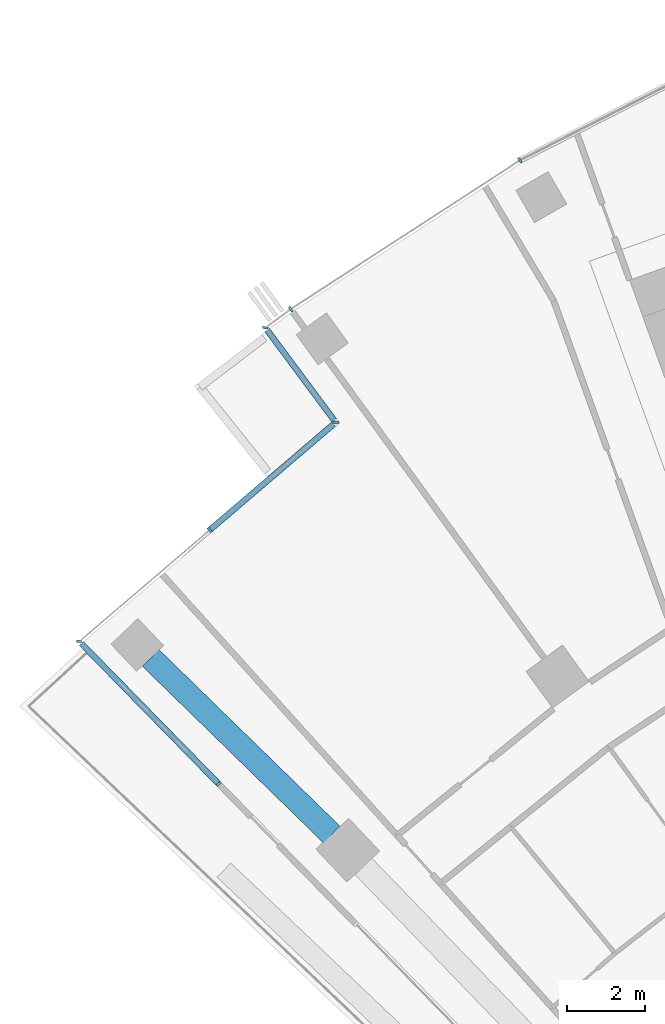
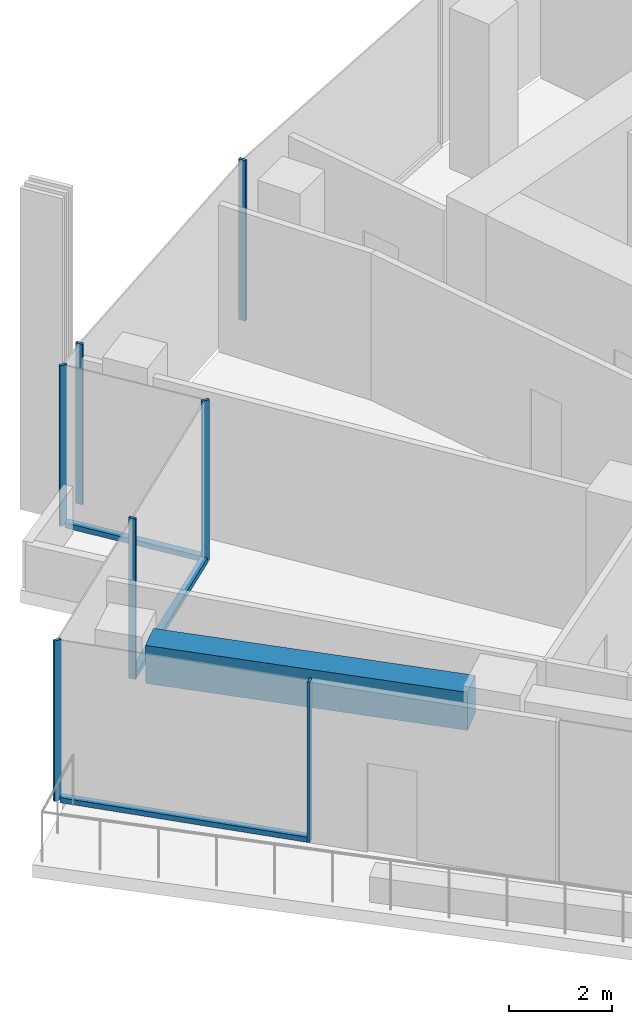
# One storey, part 3 of 20: 10 members, 1 beam, 4 elements without a shape of their own.
"""IFC4 building model written with IfcOpenShell, lengths in metres."""

from ifc_helpers import new_model, si_unit, direction, frame, origin, origin_2d, place, context, subcontext, project, spatial, rectangle, extrude, material, layer, layer_set, material_profile, profile_set, type_object, element, aggregate, save


model = new_model("IFC4")

# Units and contexts
model_context = context("Model", 3, precision=1e-05, world=origin(), true_north=direction((0.0, 1.0)))
body_context = subcontext(model_context, "Body", "Model", "MODEL_VIEW")
ifc_project = project(units=[si_unit("LENGTHUNIT", "METRE"), si_unit("AREAUNIT", "SQUARE_METRE"), si_unit("VOLUMEUNIT", "CUBIC_METRE"), si_unit("PLANEANGLEUNIT", "RADIAN"), si_unit("MASSUNIT", "GRAM", prefix="KILO")], contexts=[model_context])

# Site, building, storey
site_placement = place(None, origin())
site = spatial("IfcSite", under=ifc_project, at=site_placement, CompositionType="ELEMENT")
building_placement = place(site_placement, origin())
building = spatial("IfcBuilding", under=site, at=building_placement, Name="Stone Belt Terrace Tower", CompositionType="ELEMENT")
storey_placement = place(building_placement, frame((0.0, 0.0, 216.199951171875)))
storey = spatial("IfcBuildingStorey", under=building, at=storey_placement, Name="L52", CompositionType="ELEMENT", Elevation=216.199951171875)

# Curtain wall, members
ifc_material_1 = material(Name="Aluminium 6063-T6 anodised frame", Category="aluminium")
ifc_layer_1 = layer(ifc_material_1, 0.14990234375)
ifc_layer_set_1 = layer_set([ifc_layer_1], Name="CW-A unitised convex-face curtain wall")
curtain_wall_type_1 = type_object("IfcCurtainWallType", Name="CW-A unitised convex-face curtain wall", PredefinedType="NOTDEFINED", material=ifc_layer_set_1)
curtain_wall_1_placement = place(storey_placement, origin())
curtain_wall_1 = element("IfcCurtainWall", 1, at=curtain_wall_1_placement, inside=storey, type_object=curtain_wall_type_1, Name="CW-A convex face L52", PredefinedType="NOTDEFINED")
ifc_material_profile_1 = material_profile(ifc_material_1, rectangle(XDim=0.14990234375, YDim=0.06005859375, at=origin_2d()), Name="Aluminium 6063-T6 60x150")
ifc_profile_set_1 = profile_set([ifc_material_profile_1], Name="Aluminium 6063-T6 anodised frame")
member_type_1 = type_object("IfcMemberType", Name="CW-A mullion 60 x 150", PredefinedType="MULLION", material=ifc_profile_set_1)
member_1_placement = place(storey_placement, frame((-33.28759765625, 57.65576171875, 0.0), z_axis=(0.0, 0.0, 1.0), x_axis=(0.5, -0.866025403784, 0.0)))
member_1 = element("IfcMember", 2, at=member_1_placement, type_object=member_type_1, Name="CW-A mullion 14", PredefinedType="MULLION", context=body_context, shape_type="SweptSolid", body=[
    extrude(rectangle(XDim=0.14990234375, YDim=0.06005859375, at=origin_2d()), origin(), (0.0, 0.0, 1.0), 3.800048828125),
])
member_2_placement = place(storey_placement, frame((-39.13037109375, 53.861328125, 0.0), z_axis=(0.0, 0.0, 1.0), x_axis=(0.568647526171, -0.82258129749, 0.0)))
member_2 = element("IfcMember", 3, at=member_2_placement, type_object=member_type_1, Name="CW-A mullion 15", PredefinedType="MULLION", context=body_context, shape_type="SweptSolid", body=[
    extrude(rectangle(XDim=0.14990234375, YDim=0.06005859375, at=origin_2d()), origin(), (0.0, 0.0, 1.0), 3.800048828125),
])
aggregate(curtain_wall_1, [member_1, member_2])

# Curtain wall, member
ifc_layer_2 = layer(ifc_material_1, 0.14990234375)
ifc_layer_set_2 = layer_set([ifc_layer_2], Name="CW-C stick curtain wall, horn ends and notches")
curtain_wall_type_2 = type_object("IfcCurtainWallType", Name="CW-C stick curtain wall, horn ends and notches", PredefinedType="NOTDEFINED", material=ifc_layer_set_2)
curtain_wall_2_placement = place(storey_placement, origin())
curtain_wall_2 = element("IfcCurtainWall", 4, at=curtain_wall_2_placement, inside=storey, type_object=curtain_wall_type_2, Name="CW-C notch face L52", PredefinedType="NOTDEFINED")
ifc_material_profile_2 = material_profile(ifc_material_1, rectangle(XDim=0.14990234375, YDim=0.06005859375, at=origin_2d()), Name="Aluminium 6063-T6 60x150")
ifc_profile_set_2 = profile_set([ifc_material_profile_2], Name="Aluminium 6063-T6 anodised frame")
member_type_2 = type_object("IfcMemberType", Name="CW-C mullion 60 x 150", PredefinedType="MULLION", material=ifc_profile_set_2)
member_3_placement = place(storey_placement, frame((-39.7763671875, 53.38671875, 0.0), z_axis=(0.0, 0.0, 1.0), x_axis=(0.988932903449, -0.148363447234, 0.0)))
member_3 = element("IfcMember", 5, at=member_3_placement, type_object=member_type_2, Name="CW-C mullion 1", PredefinedType="MULLION", context=body_context, shape_type="SweptSolid", body=[
    extrude(rectangle(XDim=0.14990234375, YDim=0.06005859375, at=origin_2d()), origin(), (0.0, 0.0, 1.0), 3.800048828125),
])

# Curtain wall, members
curtain_wall_3_placement = place(storey_placement, origin())
curtain_wall_3 = element("IfcCurtainWall", 6, at=curtain_wall_3_placement, inside=storey, type_object=curtain_wall_type_2, Name="CW-C notch face L52", PredefinedType="NOTDEFINED")
member_4_placement = place(storey_placement, frame((-37.9833984375, 50.974609375, 0.0), z_axis=(0.0, 0.0, 1.0), x_axis=(0.993694649426, -0.112120219865, 0.0)))
member_4 = element("IfcMember", 7, at=member_4_placement, type_object=member_type_2, Name="CW-C mullion 1", PredefinedType="MULLION", context=body_context, shape_type="SweptSolid", body=[
    extrude(rectangle(XDim=0.14990234375, YDim=0.06005859375, at=origin_2d()), origin(), (0.0, 0.0, 1.0), 3.800048828125),
])
member_5_placement = place(storey_placement, frame((-41.195068359375, 48.2314453125, 0.0), z_axis=(0.0, 0.0, 1.0), x_axis=(0.649461685764, -0.760394317919, 0.0)))
member_5 = element("IfcMember", 8, at=member_5_placement, type_object=member_type_2, Name="CW-C mullion 2", PredefinedType="MULLION", context=body_context, shape_type="SweptSolid", body=[
    extrude(rectangle(XDim=0.14990234375, YDim=0.06005859375, at=origin_2d()), origin(), (0.0, 0.0, 1.0), 3.800048828125),
])

curtain_wall_4_placement = place(storey_placement, origin())
curtain_wall_4 = element("IfcCurtainWall", 9, at=curtain_wall_4_placement, inside=storey, type_object=curtain_wall_type_2, Name="CW-C end face L52", PredefinedType="NOTDEFINED")
member_6_placement = place(storey_placement, frame((-44.52099609375, 45.390869140625, 0.0), z_axis=(0.0, 0.0, 1.0), x_axis=(0.999001688967, -0.044672423729, 0.0)))
member_6 = element("IfcMember", 10, at=member_6_placement, type_object=member_type_2, Name="CW-C mullion 1", PredefinedType="MULLION", context=body_context, shape_type="SweptSolid", body=[
    extrude(rectangle(XDim=0.14990234375, YDim=0.06005859375, at=origin_2d()), origin(), (0.0, 0.0, 1.0), 3.800048828125),
])
member_7_placement = place(storey_placement, frame((-40.968017578125, 41.759765625, 0.0), z_axis=(0.0, 0.0, 1.0), x_axis=(0.714739013009, 0.699391266233, 0.0)))
member_7 = element("IfcMember", 11, at=member_7_placement, type_object=member_type_2, Name="CW-C mullion 2", PredefinedType="MULLION", context=body_context, shape_type="SweptSolid", body=[
    extrude(rectangle(XDim=0.14990234375, YDim=0.06005859375, at=origin_2d()), origin(), (0.0, 0.0, 1.0), 3.800048828125),
])

# Member
ifc_material_profile_3 = material_profile(ifc_material_1, rectangle(XDim=0.14990234375, YDim=0.1201171875, at=origin_2d()), Name="Aluminium 6063-T6 150x120")
ifc_profile_set_3 = profile_set([ifc_material_profile_3], Name="Aluminium 6063-T6 anodised frame")
member_type_3 = type_object("IfcMemberType", Name="CW-C transom 120 x 150", PredefinedType="USERDEFINED", material=ifc_profile_set_3)
member_8_placement = place(storey_placement, frame((-39.73193359375, 53.326904296875, 0.06005859375), z_axis=(0.596577214065, -0.802555685082, 0.0), x_axis=(0.802555685082, 0.596577214065, 0.0)))
member_8 = element("IfcMember", 12, at=member_8_placement, type_object=member_type_3, Name="CW-C transom 1.1", ObjectType="TRANSOM", PredefinedType="USERDEFINED", context=body_context, shape_type="SweptSolid", body=[
    extrude(rectangle(XDim=0.14990234375, YDim=0.1201171875, at=origin_2d()), origin(), (0.0, 0.0, 1.0), 2.857666015625),
])

aggregate(curtain_wall_2, [member_3, member_8])

member_9_placement = place(storey_placement, frame((-38.0390625, 50.92724609375, 0.06005859375), z_axis=(-0.760384650427, -0.649473004362, 0.0), x_axis=(0.649473004362, -0.760384650427, 0.0)))
member_9 = element("IfcMember", 13, at=member_9_placement, type_object=member_type_3, Name="CW-C transom 1.1", ObjectType="TRANSOM", PredefinedType="USERDEFINED", context=body_context, shape_type="SweptSolid", body=[
    extrude(rectangle(XDim=0.14990234375, YDim=0.1201171875, at=origin_2d()), origin(), (0.0, 0.0, 1.0), 4.12060546875),
])

aggregate(curtain_wall_3, [member_4, member_5, member_9])

member_10_placement = place(storey_placement, frame((-44.468505859375, 45.3369140625, 0.06005859375), z_axis=(0.699409716111, -0.714720958843, 0.0), x_axis=(0.714720958843, 0.699409716111, 0.0)))
member_10 = element("IfcMember", 14, at=member_10_placement, type_object=member_type_3, Name="CW-C transom 1.1", ObjectType="TRANSOM", PredefinedType="USERDEFINED", context=body_context, shape_type="SweptSolid", body=[
    extrude(rectangle(XDim=0.14990234375, YDim=0.1201171875, at=origin_2d()), origin(), (0.0, 0.0, 1.0), 4.974853515625),
])

aggregate(curtain_wall_4, [member_6, member_7, member_10])

# Beam
ifc_material_2 = material(Name="Concrete B60", Category="concrete")
ifc_material_profile_4 = material_profile(ifc_material_2, rectangle(XDim=0.60009765625, YDim=0.89990234375, at=origin_2d()), Name="RC 600x900")
ifc_profile_set_4 = profile_set([ifc_material_profile_4], Name="Concrete B60")
beam_type = type_object("IfcBeamType", Name="Edge beam RC 600x900 B60", PredefinedType="SPANDREL", material=ifc_profile_set_4)
beam_placement = place(storey_placement, frame((-38.08837890625, 40.470458984375, 3.030029296875), z_axis=(-0.715878935001, 0.698224426973, 0.0), x_axis=(-0.698224426973, -0.715878935001, 0.0)))
element("IfcBeam", 15, at=beam_placement, inside=storey, type_object=beam_type, Name="Edge beam L52 A Q to R", PredefinedType="SPANDREL", context=body_context, shape_type="SweptSolid", body=[
    extrude(rectangle(XDim=0.60009765625, YDim=0.89990234375, at=origin_2d()), origin(), (0.0, 0.0, 1.0), 6.4443359375),
])

save(model, "model.ifc")
